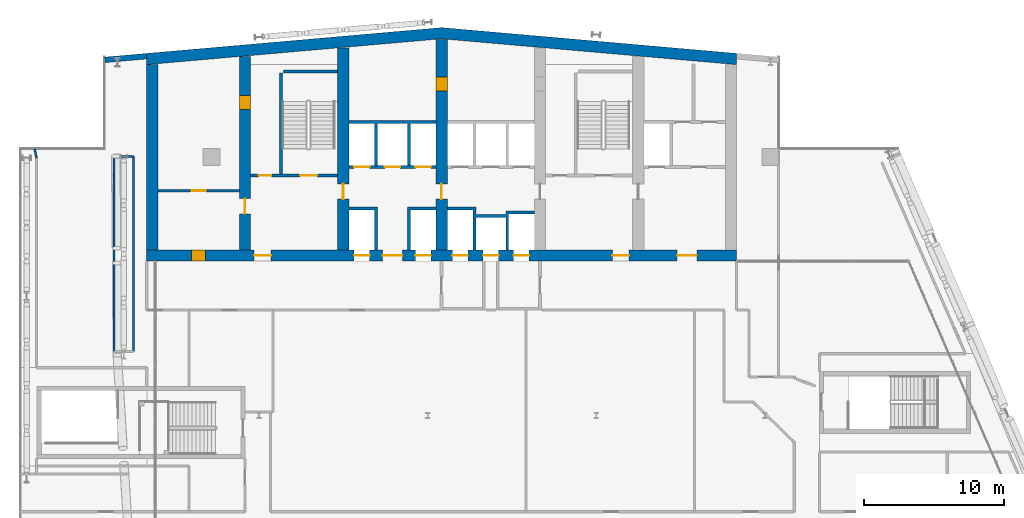
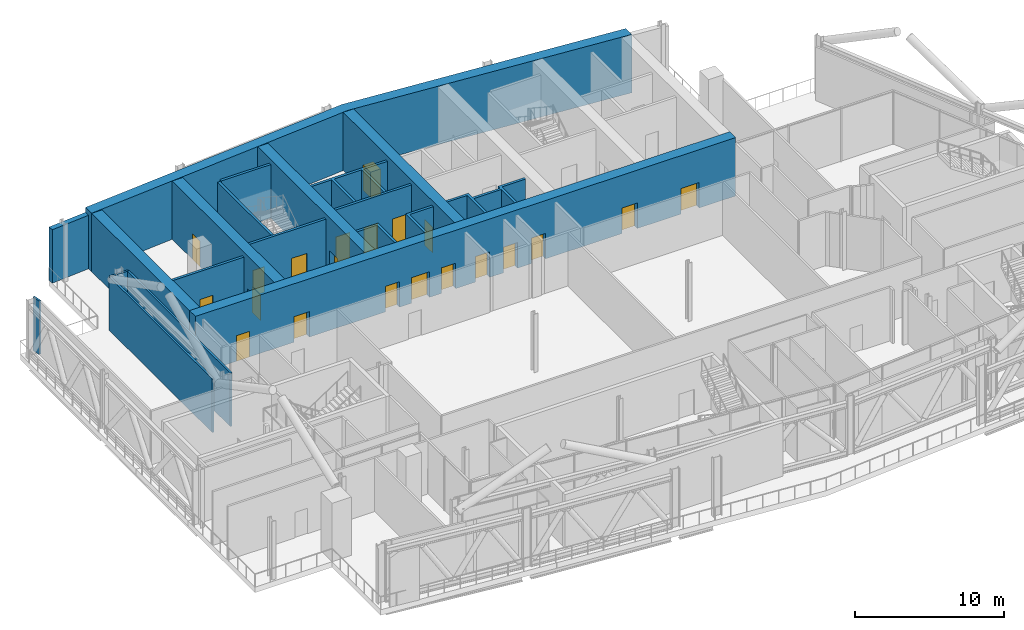
# One storey, part 16 of 35: 21 doors, 20 walls, 21 openings.
"""IFC4 building model written with IfcOpenShell, lengths in metres."""

from ifc_helpers import new_model, si_unit, direction, frame, frame_2d, origin, place, context, subcontext, project, spatial, polyline, rectangle, outline, extrude, material, layer, layer_set, type_object, element, fill, save


model = new_model("IFC4")

# Units and contexts
model_context = context("Model", 3, precision=1e-05, world=origin(), true_north=direction((0.0, 1.0)))
body_context = subcontext(model_context, "Body", "Model", "MODEL_VIEW")
ifc_project = project(units=[si_unit("LENGTHUNIT", "METRE"), si_unit("AREAUNIT", "SQUARE_METRE"), si_unit("VOLUMEUNIT", "CUBIC_METRE"), si_unit("PLANEANGLEUNIT", "RADIAN"), si_unit("MASSUNIT", "GRAM", prefix="KILO")], contexts=[model_context])

# Site, building, storey
site_placement = place(None, origin())
site = spatial("IfcSite", under=ifc_project, at=site_placement, CompositionType="ELEMENT")
building_placement = place(site_placement, origin())
building = spatial("IfcBuilding", under=site, at=building_placement, Name="Wharfspan Tower", CompositionType="ELEMENT")
storey_placement = place(building_placement, frame((0.0, 0.0, 202.300049)))
storey = spatial("IfcBuildingStorey", under=building, at=storey_placement, Name="L50", CompositionType="ELEMENT", Elevation=202.300049)

# Wall, opening, door
ifc_material_1 = material(Name="Calcium silicate masonry", Category="masonry")
ifc_layer_1 = layer(ifc_material_1, 0.199951)
ifc_layer_set_1 = layer_set([ifc_layer_1], Name="Calcium silicate masonry")
wall_type_1 = type_object("IfcWallType", Name="Core room wall 200", PredefinedType="PARTITIONING", material=ifc_layer_set_1)
wall_1_placement = place(storey_placement, frame((16.800049, 39.0, 0.0), z_axis=(0.0, 0.0, 1.0), x_axis=(1.0, 0.0, 0.0)))
wall_1 = element("IfcWall", 1, at=wall_1_placement, inside=storey, type_object=wall_type_1, Name="sw:L50:RM1", PredefinedType="PARTITIONING", context=body_context, shape_type="SweptSolid", body=[
    extrude(rectangle(XDim=5.800049, YDim=0.199951, at=frame_2d((2.899902, 0.0))), origin(), (0.0, 0.0, 1.0), 4.399902),
])
opening_1_placement = place(wall_1_placement, frame((2.399902, 0.0, 0.0)))
opening_1 = element("IfcOpeningElement", 2, at=opening_1_placement, cuts=wall_1, Name="Opening CD50.12", PredefinedType="OPENING", context=body_context, shape_type="SweptSolid", body=[
    extrude(rectangle(XDim=1.0, YDim=2.100098, at=frame_2d((0.5, 1.050049))), frame((0.0, 0.109863, 0.0), z_axis=(0.0, -1.0, 0.0), x_axis=(1.0, 0.0, 0.0)), (0.0, 0.0, 1.0), 0.219971),
])
ifc_material_2 = material(Name="Steel door leaf", Category="steel")
door_type_1 = type_object("IfcDoorType", Name="Core room door 1000x2100", OperationType="SINGLE_SWING_LEFT", PredefinedType="DOOR", material=ifc_material_2)
door_1_placement = place(opening_1_placement, origin())
door_1 = element("IfcDoor", 3, at=door_1_placement, inside=storey, type_object=door_type_1, Name="d:L50:1:rr", OperationType="SINGLE_SWING_RIGHT", OverallHeight=2.100098, OverallWidth=1.0, PredefinedType="DOOR", context=body_context, shape_type="SweptSolid", body=[
    extrude(rectangle(XDim=1.0, YDim=2.100098, at=frame_2d((0.5, 1.050049))), frame((0.0, 0.024902, 0.0), z_axis=(0.0, -1.0, 0.0), x_axis=(1.0, 0.0, 0.0)), (0.0, 0.0, 1.0), 0.050049),
])
fill(opening_1, door_1)

# Wall
ifc_material_3 = material(Name="Concrete C60/75", Category="concrete")
ifc_layer_2 = layer(ifc_material_3, 0.800049)
ifc_layer_set_2 = layer_set([ifc_layer_2], Name="Concrete C60/75")
wall_type_2 = type_object("IfcWallType", Name="Core wall 800 C60/75", PredefinedType="SHEAR", material=ifc_layer_set_2)
wall_2_placement = place(storey_placement, origin())
element("IfcWall", 4, at=wall_2_placement, inside=storey, type_object=wall_type_2, Name="Core rear wall L50", PredefinedType="SHEAR", context=body_context, shape_type="SweptSolid", body=[
    extrude(outline(polyline([(16.0, 47.984375), (37.0, 49.821533), (58.0, 47.984375), (58.0, 48.787354), (37.0, 50.624756), (16.0, 48.787354), (16.0, 47.984375)])), origin(), (0.0, 0.0, 1.0), 4.800049),
])

# Wall, openings, doors
wall_3_placement = place(storey_placement, frame((16.0, 34.399902, 0.0), z_axis=(0.0, 0.0, 1.0), x_axis=(1.0, 0.0, 0.0)))
wall_3 = element("IfcWall", 5, at=wall_3_placement, inside=storey, type_object=wall_type_2, Name="Core front wall L50", PredefinedType="SHEAR", context=body_context, shape_type="SweptSolid", body=[
    extrude(rectangle(XDim=42.0, YDim=0.800049, at=frame_2d((21.0, 0.0))), origin(), (0.0, 0.0, 1.0), 4.800049),
])
opening_2_placement = place(wall_3_placement, frame((3.199951, 0.0, 0.0)))
opening_2 = element("IfcOpeningElement", 6, at=opening_2_placement, cuts=wall_3, Name="Opening CD50.11", PredefinedType="OPENING", context=body_context, shape_type="SweptSolid", body=[
    extrude(rectangle(XDim=1.0, YDim=2.100098, at=frame_2d((0.5, 1.050049))), frame((0.0, 0.409912, 0.0), z_axis=(0.0, -1.0, 0.0), x_axis=(1.0, 0.0, 0.0)), (0.0, 0.0, 1.0), 0.820068),
])
opening_3_placement = place(wall_3_placement, frame((7.649902, 0.0, 0.0)))
opening_3 = element("IfcOpeningElement", 7, at=opening_3_placement, cuts=wall_3, Name="Opening SV2.L50", PredefinedType="OPENING", context=body_context, shape_type="SweptSolid", body=[
    extrude(rectangle(XDim=1.199951, YDim=2.100098, at=frame_2d((0.600098, 1.050049))), frame((0.0, 0.409912, 0.0), z_axis=(0.0, -1.0, 0.0), x_axis=(1.0, 0.0, 0.0)), (0.0, 0.0, 1.0), 0.820068),
])
opening_4_placement = place(wall_3_placement, frame((14.766602, 0.0, 0.0)))
opening_4 = element("IfcOpeningElement", 8, at=opening_4_placement, cuts=wall_3, Name="Opening LD.SL1.L50", PredefinedType="OPENING", context=body_context, shape_type="SweptSolid", body=[
    extrude(rectangle(XDim=1.100098, YDim=2.100098, at=frame_2d((0.550049, 1.050049))), frame((0.0, 0.409912, 0.0), z_axis=(0.0, -1.0, 0.0), x_axis=(1.0, 0.0, 0.0)), (0.0, 0.0, 1.0), 0.820068),
])
opening_5_placement = place(wall_3_placement, frame((19.133301, 0.0, 0.0)))
opening_5 = element("IfcOpeningElement", 9, at=opening_5_placement, cuts=wall_3, Name="Opening LD.SL2.L50", PredefinedType="OPENING", context=body_context, shape_type="SweptSolid", body=[
    extrude(rectangle(XDim=1.100098, YDim=2.100098, at=frame_2d((0.550049, 1.050049))), frame((0.0, 0.409912, 0.0), z_axis=(0.0, -1.0, 0.0), x_axis=(1.0, 0.0, 0.0)), (0.0, 0.0, 1.0), 0.820068),
])
opening_6_placement = place(wall_3_placement, frame((16.800049, 0.0, 0.0)))
opening_6 = element("IfcOpeningElement", 10, at=opening_6_placement, cuts=wall_3, Name="Opening HD50.3", PredefinedType="OPENING", context=body_context, shape_type="SweptSolid", body=[
    extrude(rectangle(XDim=1.399902, YDim=2.100098, at=frame_2d((0.699951, 1.050049))), frame((0.0, 0.409912, 0.0), z_axis=(0.0, -1.0, 0.0), x_axis=(1.0, 0.0, 0.0)), (0.0, 0.0, 1.0), 0.820068),
])
opening_7_placement = place(wall_3_placement, frame((21.766602, 0.0, 0.0)))
opening_7 = element("IfcOpeningElement", 11, at=opening_7_placement, cuts=wall_3, Name="Opening LD.FF1.L50", PredefinedType="OPENING", context=body_context, shape_type="SweptSolid", body=[
    extrude(rectangle(XDim=1.100098, YDim=2.100098, at=frame_2d((0.550049, 1.050049))), frame((0.0, 0.409912, 0.0), z_axis=(0.0, -1.0, 0.0), x_axis=(1.0, 0.0, 0.0)), (0.0, 0.0, 1.0), 0.820068),
])
opening_8_placement = place(wall_3_placement, frame((23.949951, 0.0, 0.0)))
opening_8 = element("IfcOpeningElement", 12, at=opening_8_placement, cuts=wall_3, Name="Opening LD.LB7.L50", PredefinedType="OPENING", context=body_context, shape_type="SweptSolid", body=[
    extrude(rectangle(XDim=1.100098, YDim=2.100098, at=frame_2d((0.550049, 1.050049))), frame((0.0, 0.409912, 0.0), z_axis=(0.0, -1.0, 0.0), x_axis=(1.0, 0.0, 0.0)), (0.0, 0.0, 1.0), 0.820068),
])
opening_9_placement = place(wall_3_placement, frame((26.133301, 0.0, 0.0)))
opening_9 = element("IfcOpeningElement", 13, at=opening_9_placement, cuts=wall_3, Name="Opening LD.FF2.L50", PredefinedType="OPENING", context=body_context, shape_type="SweptSolid", body=[
    extrude(rectangle(XDim=1.100098, YDim=2.100098, at=frame_2d((0.550049, 1.050049))), frame((0.0, 0.409912, 0.0), z_axis=(0.0, -1.0, 0.0), x_axis=(1.0, 0.0, 0.0)), (0.0, 0.0, 1.0), 0.820068),
])
opening_10_placement = place(wall_3_placement, frame((33.149902, 0.0, 0.0)))
opening_10 = element("IfcOpeningElement", 14, at=opening_10_placement, cuts=wall_3, Name="Opening SV5.L50", PredefinedType="OPENING", context=body_context, shape_type="SweptSolid", body=[
    extrude(rectangle(XDim=1.199951, YDim=2.100098, at=frame_2d((0.600098, 1.050049))), frame((0.0, 0.409912, 0.0), z_axis=(0.0, -1.0, 0.0), x_axis=(1.0, 0.0, 0.0)), (0.0, 0.0, 1.0), 0.820068),
])
opening_11_placement = place(wall_3_placement, frame((37.766602, 0.0, 0.0)))
opening_11 = element("IfcOpeningElement", 15, at=opening_11_placement, cuts=wall_3, Name="Opening HD50.6", PredefinedType="OPENING", context=body_context, shape_type="SweptSolid", body=[
    extrude(rectangle(XDim=1.399902, YDim=2.100098, at=frame_2d((0.699951, 1.050049))), frame((0.0, 0.409912, 0.0), z_axis=(0.0, -1.0, 0.0), x_axis=(1.0, 0.0, 0.0)), (0.0, 0.0, 1.0), 0.820068),
])
door_2_placement = place(opening_2_placement, origin())
door_2 = element("IfcDoor", 16, at=door_2_placement, inside=storey, type_object=door_type_1, Name="d:L50:1:rf", OperationType="SINGLE_SWING_LEFT", OverallHeight=2.100098, OverallWidth=1.0, PredefinedType="DOOR", context=body_context, shape_type="SweptSolid", body=[
    extrude(rectangle(XDim=1.0, YDim=2.100098, at=frame_2d((0.5, 1.050049))), frame((0.0, 0.399902, 0.0), z_axis=(0.0, -1.0, 0.0), x_axis=(1.0, 0.0, 0.0)), (0.0, 0.0, 1.0), 0.799561),
])
fill(opening_2, door_2)
door_type_2 = type_object("IfcDoorType", Name="Hall entry door 1400x2100", OperationType="DOUBLE_DOOR_SINGLE_SWING", PredefinedType="DOOR", material=ifc_material_2)
door_3_placement = place(opening_6_placement, origin())
door_3 = element("IfcDoor", 17, at=door_3_placement, inside=storey, type_object=door_type_2, Name="d:L50:3:hd3", OperationType="DOUBLE_DOOR_SINGLE_SWING", OverallHeight=2.100098, OverallWidth=1.399902, PredefinedType="DOOR", context=body_context, shape_type="SweptSolid", body=[
    extrude(rectangle(XDim=1.399902, YDim=2.100098, at=frame_2d((0.699951, 1.050049))), frame((0.0, 0.024902, 0.0), z_axis=(0.0, -1.0, 0.0), x_axis=(1.0, 0.0, 0.0)), (0.0, 0.0, 1.0), 0.050049),
])
fill(opening_6, door_3)
door_4_placement = place(opening_11_placement, origin())
door_4 = element("IfcDoor", 18, at=door_4_placement, inside=storey, type_object=door_type_2, Name="d:L50:6:hd6", OperationType="DOUBLE_DOOR_SINGLE_SWING", OverallHeight=2.100098, OverallWidth=1.399902, PredefinedType="DOOR", context=body_context, shape_type="SweptSolid", body=[
    extrude(rectangle(XDim=1.399902, YDim=2.100098, at=frame_2d((0.699951, 1.050049))), frame((0.0, 0.024902, 0.0), z_axis=(0.0, -1.0, 0.0), x_axis=(1.0, 0.0, 0.0)), (0.0, 0.0, 1.0), 0.050049),
])
fill(opening_11, door_4)
ifc_material_4 = material(Name="Stainless steel", Category="steel")
door_type_3 = type_object("IfcDoorType", Name="Lift landing door 1100x2100", OperationType="DOUBLE_DOOR_SLIDING", PredefinedType="DOOR", material=ifc_material_4)
door_5_placement = place(opening_4_placement, origin())
door_5 = element("IfcDoor", 19, at=door_5_placement, inside=storey, type_object=door_type_3, Name="Landing door SL1 L50", OperationType="DOUBLE_DOOR_SLIDING", OverallHeight=2.100098, OverallWidth=1.100098, PredefinedType="DOOR", context=body_context, shape_type="SweptSolid", body=[
    extrude(rectangle(XDim=1.100098, YDim=2.100098, at=frame_2d((0.550049, 1.050049))), frame((0.0, 0.024902, 0.0), z_axis=(0.0, -1.0, 0.0), x_axis=(1.0, 0.0, 0.0)), (0.0, 0.0, 1.0), 0.050049),
])
fill(opening_4, door_5)
door_6_placement = place(opening_5_placement, origin())
door_6 = element("IfcDoor", 20, at=door_6_placement, inside=storey, type_object=door_type_3, Name="Landing door SL2 L50", OperationType="DOUBLE_DOOR_SLIDING", OverallHeight=2.100098, OverallWidth=1.100098, PredefinedType="DOOR", context=body_context, shape_type="SweptSolid", body=[
    extrude(rectangle(XDim=1.100098, YDim=2.100098, at=frame_2d((0.550049, 1.050049))), frame((0.0, 0.024902, 0.0), z_axis=(0.0, -1.0, 0.0), x_axis=(1.0, 0.0, 0.0)), (0.0, 0.0, 1.0), 0.050049),
])
fill(opening_5, door_6)
door_7_placement = place(opening_7_placement, origin())
door_7 = element("IfcDoor", 21, at=door_7_placement, inside=storey, type_object=door_type_3, Name="Landing door FF1 L50", OperationType="DOUBLE_DOOR_SLIDING", OverallHeight=2.100098, OverallWidth=1.100098, PredefinedType="DOOR", context=body_context, shape_type="SweptSolid", body=[
    extrude(rectangle(XDim=1.100098, YDim=2.100098, at=frame_2d((0.550049, 1.050049))), frame((0.0, 0.024902, 0.0), z_axis=(0.0, -1.0, 0.0), x_axis=(1.0, 0.0, 0.0)), (0.0, 0.0, 1.0), 0.050049),
])
fill(opening_7, door_7)
door_8_placement = place(opening_8_placement, origin())
door_8 = element("IfcDoor", 22, at=door_8_placement, inside=storey, type_object=door_type_3, Name="Landing door LB7 L50", OperationType="DOUBLE_DOOR_SLIDING", OverallHeight=2.100098, OverallWidth=1.100098, PredefinedType="DOOR", context=body_context, shape_type="SweptSolid", body=[
    extrude(rectangle(XDim=1.100098, YDim=2.100098, at=frame_2d((0.550049, 1.050049))), frame((0.0, 0.024902, 0.0), z_axis=(0.0, -1.0, 0.0), x_axis=(1.0, 0.0, 0.0)), (0.0, 0.0, 1.0), 0.050049),
])
fill(opening_8, door_8)
door_9_placement = place(opening_9_placement, origin())
door_9 = element("IfcDoor", 23, at=door_9_placement, inside=storey, type_object=door_type_3, Name="Landing door FF2 L50", OperationType="DOUBLE_DOOR_SLIDING", OverallHeight=2.100098, OverallWidth=1.100098, PredefinedType="DOOR", context=body_context, shape_type="SweptSolid", body=[
    extrude(rectangle(XDim=1.100098, YDim=2.100098, at=frame_2d((0.550049, 1.050049))), frame((0.0, 0.024902, 0.0), z_axis=(0.0, -1.0, 0.0), x_axis=(1.0, 0.0, 0.0)), (0.0, 0.0, 1.0), 0.050049),
])
fill(opening_9, door_9)
door_type_4 = type_object("IfcDoorType", Name="Stair door 1200x2100", OperationType="SINGLE_SWING_LEFT", PredefinedType="DOOR", material=ifc_material_2)
door_10_placement = place(opening_3_placement, origin())
door_10 = element("IfcDoor", 24, at=door_10_placement, inside=storey, type_object=door_type_4, Name="vd:L50:2", OperationType="SINGLE_SWING_LEFT", OverallHeight=2.100098, OverallWidth=1.199951, PredefinedType="DOOR", context=body_context, shape_type="SweptSolid", body=[
    extrude(rectangle(XDim=1.199951, YDim=2.100098, at=frame_2d((0.600098, 1.050049))), frame((0.0, 0.024902, 0.0), z_axis=(0.0, -1.0, 0.0), x_axis=(1.0, 0.0, 0.0)), (0.0, 0.0, 1.0), 0.050049),
])
fill(opening_3, door_10)
door_11_placement = place(opening_10_placement, origin())
door_11 = element("IfcDoor", 25, at=door_11_placement, inside=storey, type_object=door_type_4, Name="vd:L50:5", OperationType="SINGLE_SWING_LEFT", OverallHeight=2.100098, OverallWidth=1.199951, PredefinedType="DOOR", context=body_context, shape_type="SweptSolid", body=[
    extrude(rectangle(XDim=1.199951, YDim=2.100098, at=frame_2d((0.600098, 1.050049))), frame((0.0, 0.024902, 0.0), z_axis=(0.0, -1.0, 0.0), x_axis=(1.0, 0.0, 0.0)), (0.0, 0.0, 1.0), 0.050049),
])
fill(opening_10, door_11)

# Wall
wall_4_placement = place(storey_placement, frame((16.399902, 34.800049, 0.0), z_axis=(0.0, 0.0, 1.0), x_axis=(0.0, 1.0, 0.0)))
element("IfcWall", 26, at=wall_4_placement, inside=storey, type_object=wall_type_2, Name="Core cross wall EW0 L50", PredefinedType="SHEAR", context=body_context, shape_type="SweptSolid", body=[
    extrude(rectangle(XDim=13.184326, YDim=0.800049, at=frame_2d((6.592285, 0.0))), origin(), (0.0, 0.0, 1.0), 4.800049),
])

# Wall, openings, doors
wall_5_placement = place(storey_placement, frame((23.0, 34.800049, 0.0), z_axis=(0.0, 0.0, 1.0), x_axis=(0.0, 1.0, 0.0)))
wall_5 = element("IfcWall", 27, at=wall_5_placement, inside=storey, type_object=wall_type_2, Name="Core cross wall X2 L50", PredefinedType="SHEAR", context=body_context, shape_type="SweptSolid", body=[
    extrude(rectangle(XDim=13.761719, YDim=0.800049, at=frame_2d((6.880859, 0.0))), origin(), (0.0, 0.0, 1.0), 4.800049),
])
opening_12_placement = place(wall_5_placement, frame((2.550049, 0.0, 0.0)))
opening_12 = element("IfcOpeningElement", 28, at=opening_12_placement, cuts=wall_5, Name="Opening CC50.2", PredefinedType="OPENING", context=body_context, shape_type="SweptSolid", body=[
    extrude(rectangle(XDim=1.100098, YDim=2.100098, at=frame_2d((0.550049, 1.050049))), frame((0.0, 0.409912, 0.0), z_axis=(0.0, -1.0, 0.0), x_axis=(1.0, 0.0, 0.0)), (0.0, 0.0, 1.0), 0.820068),
])
opening_13_placement = place(wall_5_placement, frame((10.0, 0.0, 0.0)))
opening_13 = element("IfcOpeningElement", 29, at=opening_13_placement, cuts=wall_5, Name="Opening CR50.2", PredefinedType="OPENING", context=body_context, shape_type="SweptSolid", body=[
    extrude(rectangle(XDim=1.0, YDim=2.100098, at=frame_2d((0.5, 1.050049))), frame((0.0, 0.409912, 0.0), z_axis=(0.0, -1.0, 0.0), x_axis=(1.0, 0.0, 0.0)), (0.0, 0.0, 1.0), 0.820068),
])
door_type_5 = type_object("IfcDoorType", Name="Core corridor door 1100x2100", OperationType="SINGLE_SWING_LEFT", PredefinedType="DOOR", material=ifc_material_2)
door_12_placement = place(opening_12_placement, origin())
door_12 = element("IfcDoor", 30, at=door_12_placement, inside=storey, type_object=door_type_5, Name="xd:L50:2", OperationType="SINGLE_SWING_RIGHT", OverallHeight=2.100098, OverallWidth=1.100098, PredefinedType="DOOR", context=body_context, shape_type="SweptSolid", body=[
    extrude(rectangle(XDim=1.100098, YDim=2.100098, at=frame_2d((0.550049, 1.050049))), frame((0.0, 0.024902, 0.0), z_axis=(0.0, -1.0, 0.0), x_axis=(1.0, 0.0, 0.0)), (0.0, 0.0, 1.0), 0.050049),
])
fill(opening_12, door_12)
door_13_placement = place(opening_13_placement, origin())
door_13 = element("IfcDoor", 31, at=door_13_placement, inside=storey, type_object=door_type_1, Name="xr:L50:2", OperationType="SINGLE_SWING_RIGHT", OverallHeight=2.100098, OverallWidth=1.0, PredefinedType="DOOR", context=body_context, shape_type="SweptSolid", body=[
    extrude(rectangle(XDim=1.0, YDim=2.100098, at=frame_2d((0.5, 1.050049))), frame((0.0, 0.399902, 0.0), z_axis=(0.0, -1.0, 0.0), x_axis=(1.0, 0.0, 0.0)), (0.0, 0.0, 1.0), 0.799561),
])
fill(opening_13, door_13)

# Wall, opening, door
wall_6_placement = place(storey_placement, frame((30.0, 34.800049, 0.0), z_axis=(0.0, 0.0, 1.0), x_axis=(0.0, 1.0, 0.0)))
wall_6 = element("IfcWall", 32, at=wall_6_placement, inside=storey, type_object=wall_type_2, Name="Core cross wall X3 L50", PredefinedType="SHEAR", context=body_context, shape_type="SweptSolid", body=[
    extrude(rectangle(XDim=14.374023, YDim=0.800049, at=frame_2d((7.187012, 0.0))), origin(), (0.0, 0.0, 1.0), 4.800049),
])
opening_14_placement = place(wall_6_placement, frame((3.600098, 0.0, 0.0)))
opening_14 = element("IfcOpeningElement", 33, at=opening_14_placement, cuts=wall_6, Name="Opening CC50.3", PredefinedType="OPENING", context=body_context, shape_type="SweptSolid", body=[
    extrude(rectangle(XDim=1.100098, YDim=2.100098, at=frame_2d((0.550049, 1.050049))), frame((0.0, 0.409912, 0.0), z_axis=(0.0, -1.0, 0.0), x_axis=(1.0, 0.0, 0.0)), (0.0, 0.0, 1.0), 0.820068),
])
door_14_placement = place(opening_14_placement, origin())
door_14 = element("IfcDoor", 34, at=door_14_placement, inside=storey, type_object=door_type_5, Name="xd:L50:3", OperationType="SINGLE_SWING_LEFT", OverallHeight=2.100098, OverallWidth=1.100098, PredefinedType="DOOR", context=body_context, shape_type="SweptSolid", body=[
    extrude(rectangle(XDim=1.100098, YDim=2.100098, at=frame_2d((0.550049, 1.050049))), frame((0.0, 0.024902, 0.0), z_axis=(0.0, -1.0, 0.0), x_axis=(1.0, 0.0, 0.0)), (0.0, 0.0, 1.0), 0.050049),
])
fill(opening_14, door_14)

# Wall, openings, doors
wall_7_placement = place(storey_placement, frame((37.0, 34.800049, 0.0), z_axis=(0.0, 0.0, 1.0), x_axis=(0.0, 1.0, 0.0)))
wall_7 = element("IfcWall", 35, at=wall_7_placement, inside=storey, type_object=wall_type_2, Name="Core cross wall X4 L50", PredefinedType="SHEAR", context=body_context, shape_type="SweptSolid", body=[
    extrude(rectangle(XDim=14.986572, YDim=0.800049, at=frame_2d((7.493164, 0.0))), origin(), (0.0, 0.0, 1.0), 4.800049),
])
opening_15_placement = place(wall_7_placement, frame((11.312012, 0.0, 0.0)))
opening_15 = element("IfcOpeningElement", 36, at=opening_15_placement, cuts=wall_7, Name="Opening CD50.3X", PredefinedType="OPENING", context=body_context, shape_type="SweptSolid", body=[
    extrude(rectangle(XDim=1.0, YDim=2.100098, at=frame_2d((0.5, 1.050049))), frame((0.0, 0.409912, 0.0), z_axis=(0.0, -1.0, 0.0), x_axis=(1.0, 0.0, 0.0)), (0.0, 0.0, 1.0), 0.820068),
])
opening_16_placement = place(wall_7_placement, frame((3.600098, 0.0, 0.0)))
opening_16 = element("IfcOpeningElement", 37, at=opening_16_placement, cuts=wall_7, Name="Opening CC50.4", PredefinedType="OPENING", context=body_context, shape_type="SweptSolid", body=[
    extrude(rectangle(XDim=1.100098, YDim=2.100098, at=frame_2d((0.550049, 1.050049))), frame((0.0, 0.409912, 0.0), z_axis=(0.0, -1.0, 0.0), x_axis=(1.0, 0.0, 0.0)), (0.0, 0.0, 1.0), 0.820068),
])
door_15_placement = place(opening_16_placement, origin())
door_15 = element("IfcDoor", 38, at=door_15_placement, inside=storey, type_object=door_type_5, Name="xd:L50:4", OperationType="SINGLE_SWING_RIGHT", OverallHeight=2.100098, OverallWidth=1.100098, PredefinedType="DOOR", context=body_context, shape_type="SweptSolid", body=[
    extrude(rectangle(XDim=1.100098, YDim=2.100098, at=frame_2d((0.550049, 1.050049))), frame((0.0, 0.024902, 0.0), z_axis=(0.0, -1.0, 0.0), x_axis=(1.0, 0.0, 0.0)), (0.0, 0.0, 1.0), 0.050049),
])
fill(opening_16, door_15)
door_16_placement = place(opening_15_placement, origin())
door_16 = element("IfcDoor", 39, at=door_16_placement, inside=storey, type_object=door_type_1, Name="d:L50:3:sx", OperationType="SINGLE_SWING_LEFT", OverallHeight=2.100098, OverallWidth=1.0, PredefinedType="DOOR", context=body_context, shape_type="SweptSolid", body=[
    extrude(rectangle(XDim=1.0, YDim=2.100098, at=frame_2d((0.5, 1.050049))), frame((0.0, 0.399902, 0.0), z_axis=(0.0, -1.0, 0.0), x_axis=(1.0, 0.0, 0.0)), (0.0, 0.0, 1.0), 0.799561),
])
fill(opening_15, door_16)

ifc_material_5 = material(Name="Concrete C30/37", Category="concrete")
ifc_layer_3 = layer(ifc_material_5, 0.199951)
ifc_layer_set_3 = layer_set([ifc_layer_3], Name="Concrete C30/37")
wall_type_3 = type_object("IfcWallType", Name="Lift shaft wall 200", PredefinedType="PARTITIONING", material=ifc_layer_set_3)
wall_8_placement = place(storey_placement, frame((30.399902, 40.699951, 0.0), z_axis=(0.0, 0.0, 1.0), x_axis=(1.0, 0.0, 0.0)))
wall_8 = element("IfcWall", 40, at=wall_8_placement, inside=storey, type_object=wall_type_3, Name="sw:L50:RF3", PredefinedType="PARTITIONING", context=body_context, shape_type="SweptSolid", body=[
    extrude(rectangle(XDim=6.200195, YDim=0.199951, at=frame_2d((3.100098, 0.0))), origin(), (0.0, 0.0, 1.0), 4.399902),
])
opening_17_placement = place(wall_8_placement, frame((0.366699, 0.0, 0.0)))
opening_17 = element("IfcOpeningElement", 41, at=opening_17_placement, cuts=wall_8, Name="Opening LD.LB1.L50", PredefinedType="OPENING", context=body_context, shape_type="SweptSolid", body=[
    extrude(rectangle(XDim=1.100098, YDim=2.100098, at=frame_2d((0.550049, 1.050049))), frame((0.0, 0.109863, 0.0), z_axis=(0.0, -1.0, 0.0), x_axis=(1.0, 0.0, 0.0)), (0.0, 0.0, 1.0), 0.219971),
])
opening_18_placement = place(wall_8_placement, frame((2.550049, 0.0, 0.0)))
opening_18 = element("IfcOpeningElement", 42, at=opening_18_placement, cuts=wall_8, Name="Opening LD.LB2.L50", PredefinedType="OPENING", context=body_context, shape_type="SweptSolid", body=[
    extrude(rectangle(XDim=1.100098, YDim=2.100098, at=frame_2d((0.550049, 1.050049))), frame((0.0, 0.109863, 0.0), z_axis=(0.0, -1.0, 0.0), x_axis=(1.0, 0.0, 0.0)), (0.0, 0.0, 1.0), 0.219971),
])
opening_19_placement = place(wall_8_placement, frame((4.733398, 0.0, 0.0)))
opening_19 = element("IfcOpeningElement", 43, at=opening_19_placement, cuts=wall_8, Name="Opening LD.LB3.L50", PredefinedType="OPENING", context=body_context, shape_type="SweptSolid", body=[
    extrude(rectangle(XDim=1.100098, YDim=2.100098, at=frame_2d((0.550049, 1.050049))), frame((0.0, 0.109863, 0.0), z_axis=(0.0, -1.0, 0.0), x_axis=(1.0, 0.0, 0.0)), (0.0, 0.0, 1.0), 0.219971),
])
door_17_placement = place(opening_17_placement, origin())
door_17 = element("IfcDoor", 44, at=door_17_placement, inside=storey, type_object=door_type_3, Name="Landing door LB1 L50", OperationType="DOUBLE_DOOR_SLIDING", OverallHeight=2.100098, OverallWidth=1.100098, PredefinedType="DOOR", context=body_context, shape_type="SweptSolid", body=[
    extrude(rectangle(XDim=1.100098, YDim=2.100098, at=frame_2d((0.550049, 1.050049))), frame((0.0, 0.024902, 0.0), z_axis=(0.0, -1.0, 0.0), x_axis=(1.0, 0.0, 0.0)), (0.0, 0.0, 1.0), 0.050049),
])
fill(opening_17, door_17)
door_18_placement = place(opening_18_placement, origin())
door_18 = element("IfcDoor", 45, at=door_18_placement, inside=storey, type_object=door_type_3, Name="Landing door LB2 L50", OperationType="DOUBLE_DOOR_SLIDING", OverallHeight=2.100098, OverallWidth=1.100098, PredefinedType="DOOR", context=body_context, shape_type="SweptSolid", body=[
    extrude(rectangle(XDim=1.100098, YDim=2.100098, at=frame_2d((0.550049, 1.050049))), frame((0.0, 0.024902, 0.0), z_axis=(0.0, -1.0, 0.0), x_axis=(1.0, 0.0, 0.0)), (0.0, 0.0, 1.0), 0.050049),
])
fill(opening_18, door_18)
door_19_placement = place(opening_19_placement, origin())
door_19 = element("IfcDoor", 46, at=door_19_placement, inside=storey, type_object=door_type_3, Name="Landing door LB3 L50", OperationType="DOUBLE_DOOR_SLIDING", OverallHeight=2.100098, OverallWidth=1.100098, PredefinedType="DOOR", context=body_context, shape_type="SweptSolid", body=[
    extrude(rectangle(XDim=1.100098, YDim=2.100098, at=frame_2d((0.550049, 1.050049))), frame((0.0, 0.024902, 0.0), z_axis=(0.0, -1.0, 0.0), x_axis=(1.0, 0.0, 0.0)), (0.0, 0.0, 1.0), 0.050049),
])
fill(opening_19, door_19)

# Walls
wall_9_placement = place(storey_placement, frame((0.0, 0.0, -0.000244)))
element("IfcWall", 47, at=wall_9_placement, inside=storey, type_object=wall_type_3, Name="sw:L50:FM3.0", PredefinedType="PARTITIONING", context=body_context, shape_type="SweptSolid", body=[
    extrude(outline(polyline([(32.233398, 37.649902), (30.399902, 37.649902), (30.399902, 37.850098), (32.233398, 37.850098), (32.43335, 37.850098), (32.43335, 34.800049), (32.233398, 34.800049), (32.233398, 37.649902)])), origin(), (0.0, 0.0, 1.0), 4.400146),
])
wall_10_placement = place(storey_placement, frame((0.0, 0.0, -0.000244)))
element("IfcWall", 48, at=wall_10_placement, inside=storey, type_object=wall_type_3, Name="sw:L50:FM3.1", PredefinedType="PARTITIONING", context=body_context, shape_type="SweptSolid", body=[
    extrude(outline(polyline([(34.56665, 37.850098), (34.766602, 37.850098), (36.600098, 37.850098), (36.600098, 37.649902), (34.766602, 37.649902), (34.766602, 34.800049), (34.56665, 34.800049), (34.56665, 37.850098)])), origin(), (0.0, 0.0, 1.0), 4.400146),
])
wall_11_placement = place(storey_placement, frame((0.0, 0.0, -0.000244)))
element("IfcWall", 49, at=wall_11_placement, inside=storey, type_object=wall_type_3, Name="sw:L50:RM3.0", PredefinedType="PARTITIONING", context=body_context, shape_type="SweptSolid", body=[
    extrude(outline(polyline([(32.43335, 40.800049), (32.233398, 40.800049), (32.233398, 43.800049), (30.399902, 43.800049), (30.399902, 44.0), (36.600098, 44.0), (36.600098, 43.800049), (34.766602, 43.800049), (34.766602, 40.800049), (34.56665, 40.800049), (34.56665, 43.800049), (32.43335, 43.800049), (32.43335, 40.800049)])), origin(), (0.0, 0.0, 1.0), 4.400146),
])
wall_12_placement = place(storey_placement, frame((0.0, 0.0, -0.000244)))
element("IfcWall", 50, at=wall_12_placement, inside=storey, type_object=wall_type_3, Name="sw:L50:FM4.0", PredefinedType="PARTITIONING", context=body_context, shape_type="SweptSolid", body=[
    extrude(outline(polyline([(41.56665, 37.100098), (39.43335, 37.100098), (39.43335, 34.800049), (39.233398, 34.800049), (39.233398, 37.649902), (37.399902, 37.649902), (37.399902, 37.850098), (39.233398, 37.850098), (39.43335, 37.850098), (39.43335, 37.300049), (41.56665, 37.300049), (41.56665, 37.550049), (41.766602, 37.550049), (43.600098, 37.550049), (43.600098, 37.350098), (41.766602, 37.350098), (41.766602, 34.800049), (41.56665, 34.800049), (41.56665, 37.100098)])), origin(), (0.0, 0.0, 1.0), 4.400146),
])
ifc_material_6 = material(Name="Gypsum board on steel studs", Category="steel")
ifc_layer_4 = layer(ifc_material_6, 0.149902)
ifc_layer_set_4 = layer_set([ifc_layer_4], Name="Gypsum board on steel studs")
wall_type_4 = type_object("IfcWallType", Name="Plant room wall 150 EI 120", PredefinedType="PARTITIONING", material=ifc_layer_set_4)
wall_13_placement = place(storey_placement, frame((8.149902, 41.324951, 0.0), z_axis=(0.0, 0.0, 1.0), x_axis=(-0.188861, 0.982004, 0.0)))
element("IfcWall", 51, at=wall_13_placement, inside=storey, type_object=wall_type_4, Name="Partition L50.w004", PredefinedType="PARTITIONING", context=body_context, shape_type="SweptSolid", body=[
    extrude(rectangle(XDim=0.666992, YDim=0.149902, at=frame_2d((0.333496, 0.0))), origin(), (0.0, 0.0, 1.0), 4.399902),
])
wall_14_placement = place(storey_placement, frame((13.655029, 41.449951, 0.0), z_axis=(0.0, 0.0, 1.0), x_axis=(1.0, 0.0, 0.0)))
element("IfcWall", 52, at=wall_14_placement, inside=storey, type_object=wall_type_4, Name="Partition L50.w009", PredefinedType="PARTITIONING", context=body_context, shape_type="SweptSolid", body=[
    extrude(rectangle(XDim=1.399902, YDim=0.149902, at=frame_2d((0.699951, 0.0))), origin(), (0.0, 0.0, 1.0), 4.399902),
])
wall_15_placement = place(storey_placement, frame((13.659912, 27.562012, 0.0), z_axis=(0.0, 0.0, 1.0), x_axis=(-0.000211, 0.999998, 0.0)))
element("IfcWall", 53, at=wall_15_placement, inside=storey, type_object=wall_type_4, Name="Partition L50.w010", PredefinedType="PARTITIONING", context=body_context, shape_type="SweptSolid", body=[
    extrude(rectangle(XDim=13.882812, YDim=0.149902, at=frame_2d((6.941406, 0.0))), origin(), (0.0, 0.0, 1.0), 4.399902),
])
wall_16_placement = place(storey_placement, frame((15.060059, 27.560059, 0.0), z_axis=(0.0, 0.0, 1.0), x_axis=(0.0, 1.0, 0.0)))
element("IfcWall", 54, at=wall_16_placement, inside=storey, type_object=wall_type_4, Name="Partition L50.w013", PredefinedType="PARTITIONING", context=body_context, shape_type="SweptSolid", body=[
    extrude(rectangle(XDim=13.88623, YDim=0.149902, at=frame_2d((6.943115, 0.0))), origin(), (0.0, 0.0, 1.0), 4.399902),
])

# Wall, openings, doors
ifc_material_7 = material(Name="Concrete C40/50", Category="concrete")
ifc_layer_5 = layer(ifc_material_7, 0.199951)
ifc_layer_set_5 = layer_set([ifc_layer_5], Name="Concrete C40/50")
wall_type_5 = type_object("IfcWallType", Name="Stair shaft wall 200", PredefinedType="SHEAR", material=ifc_layer_set_5)
wall_17_placement = place(storey_placement, frame((23.399902, 40.100098, 0.0), z_axis=(0.0, 0.0, 1.0), x_axis=(1.0, 0.0, 0.0)))
wall_17 = element("IfcWall", 55, at=wall_17_placement, inside=storey, type_object=wall_type_5, Name="ST1 stair enclosure wall L50", PredefinedType="SHEAR", context=body_context, shape_type="SweptSolid", body=[
    extrude(rectangle(XDim=6.200195, YDim=0.199951, at=frame_2d((3.100098, 0.0))), origin(), (0.0, 0.0, 1.0), 4.399902),
])
opening_20_placement = place(wall_17_placement, frame((3.524902, 0.0, 0.0)))
opening_20 = element("IfcOpeningElement", 56, at=opening_20_placement, cuts=wall_17, Name="Opening SD2.L50", PredefinedType="OPENING", context=body_context, shape_type="SweptSolid", body=[
    extrude(rectangle(XDim=1.199951, YDim=2.100098, at=frame_2d((0.600098, 1.050049))), frame((0.0, 0.109863, 0.0), z_axis=(0.0, -1.0, 0.0), x_axis=(1.0, 0.0, 0.0)), (0.0, 0.0, 1.0), 0.219971),
])
opening_21_placement = place(wall_17_placement, frame((0.574951, 0.0, 0.0)))
opening_21 = element("IfcOpeningElement", 57, at=opening_21_placement, cuts=wall_17, Name="Opening CD50.2R", PredefinedType="OPENING", context=body_context, shape_type="SweptSolid", body=[
    extrude(rectangle(XDim=0.899902, YDim=2.100098, at=frame_2d((0.449951, 1.050049))), frame((0.0, 0.109863, 0.0), z_axis=(0.0, -1.0, 0.0), x_axis=(1.0, 0.0, 0.0)), (0.0, 0.0, 1.0), 0.219971),
])
door_20_placement = place(opening_21_placement, origin())
door_20 = element("IfcDoor", 58, at=door_20_placement, inside=storey, type_object=door_type_1, Name="rk:L50:2", OperationType="SINGLE_SWING_LEFT", OverallHeight=2.100098, OverallWidth=0.899902, PredefinedType="DOOR", context=body_context, shape_type="SweptSolid", body=[
    extrude(rectangle(XDim=0.899902, YDim=2.100098, at=frame_2d((0.449951, 1.050049))), frame((0.0, 0.024902, 0.0), z_axis=(0.0, -1.0, 0.0), x_axis=(1.0, 0.0, 0.0)), (0.0, 0.0, 1.0), 0.050049),
])
fill(opening_21, door_20)
door_21_placement = place(opening_20_placement, origin())
door_21 = element("IfcDoor", 59, at=door_21_placement, inside=storey, type_object=door_type_4, Name="sd:L50:2", OperationType="SINGLE_SWING_RIGHT", OverallHeight=2.100098, OverallWidth=1.199951, PredefinedType="DOOR", context=body_context, shape_type="SweptSolid", body=[
    extrude(rectangle(XDim=1.199951, YDim=2.100098, at=frame_2d((0.600098, 1.050049))), frame((0.0, 0.024902, 0.0), z_axis=(0.0, -1.0, 0.0), x_axis=(1.0, 0.0, 0.0)), (0.0, 0.0, 1.0), 0.050049),
])
fill(opening_20, door_21)

# Walls
wall_18_placement = place(storey_placement, frame((25.550049, 40.199951, 0.0), z_axis=(0.0, 0.0, 1.0), x_axis=(0.0, 1.0, 0.0)))
element("IfcWall", 60, at=wall_18_placement, inside=storey, type_object=wall_type_5, Name="ST1 stair enclosure wall L50", PredefinedType="SHEAR", context=body_context, shape_type="SweptSolid", body=[
    extrude(rectangle(XDim=7.199951, YDim=0.199951, at=frame_2d((3.600098, 0.0))), origin(), (0.0, 0.0, 1.0), 4.399902),
])
wall_19_placement = place(storey_placement, frame((25.75, 47.5, 0.0), z_axis=(0.0, 0.0, 1.0), x_axis=(1.0, 0.0, 0.0)))
element("IfcWall", 61, at=wall_19_placement, inside=storey, type_object=wall_type_5, Name="ST1 stair enclosure wall L50", PredefinedType="SHEAR", context=body_context, shape_type="SweptSolid", body=[
    extrude(rectangle(XDim=3.850098, YDim=0.199951, at=frame_2d((1.925049, 0.0))), origin(), (0.0, 0.0, 1.0), 4.399902),
])
ifc_layer_6 = layer(ifc_material_7, 0.399902)
ifc_layer_set_6 = layer_set([ifc_layer_6], Name="Concrete C40/50")
wall_type_6 = type_object("IfcWallType", Name="WALL EXPOSED CONCRETE 400", PredefinedType="SOLIDWALL", material=ifc_layer_set_6)
wall_20_placement = place(storey_placement, frame((16.0, 48.58667, 0.0), z_axis=(0.0, 0.0, 1.0), x_axis=(-0.996194, -0.087168, 0.0)))
element("IfcWall", 62, at=wall_20_placement, inside=storey, type_object=wall_type_6, Name="Rear wall N1", PredefinedType="SOLIDWALL", context=body_context, shape_type="SweptSolid", body=[
    extrude(rectangle(XDim=2.994141, YDim=0.399902, at=frame_2d((1.49707, 0.0))), origin(), (0.0, 0.0, 1.0), 4.399902),
])

save(model, "model.ifc")
